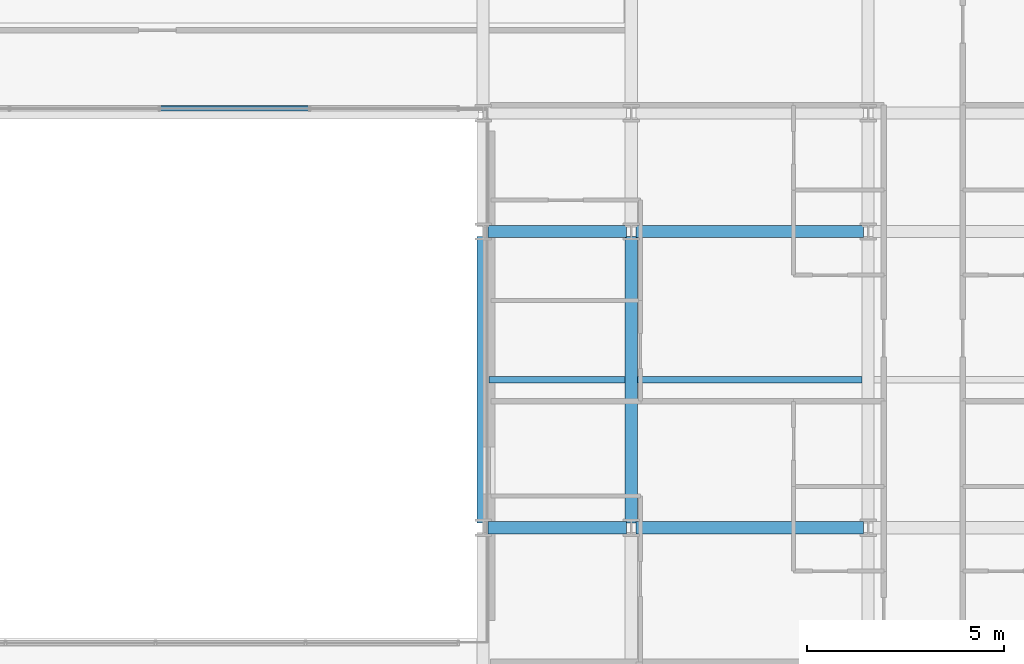
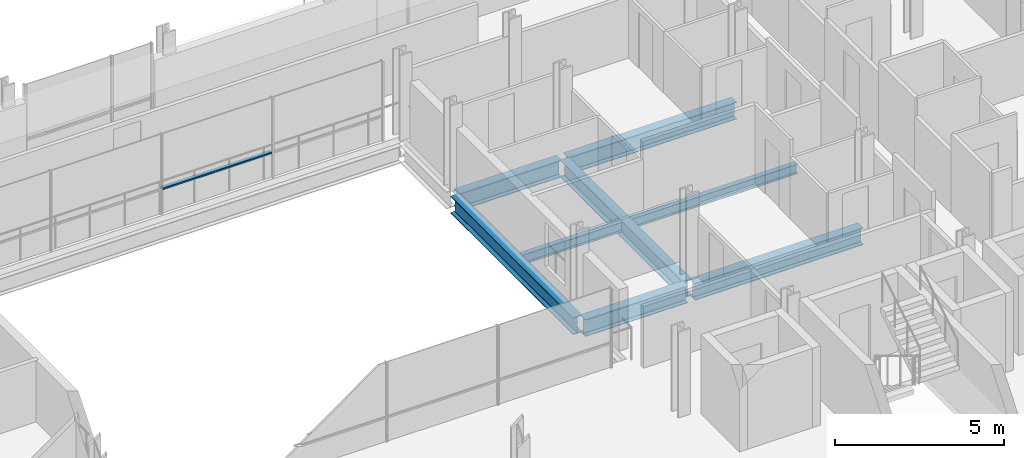
# One storey, part 16 of 39: 8 beams, 1 member, 1 element without a shape of its own.
"""IFC4 building model written with IfcOpenShell, lengths in metres."""

from ifc_helpers import new_model, si_unit, direction, frame, origin, origin_2d, place, context, subcontext, project, spatial, hollow_rectangle, i_section, extrude, material, layer, layer_set, material_profile, profile_set, type_object, element, aggregate, save


model = new_model("IFC4")

# Units and contexts
model_context = context("Model", 3, precision=1e-05, world=origin(), true_north=direction((0.0, 1.0)))
body_context = subcontext(model_context, "Body", "Model", "MODEL_VIEW")
ifc_project = project(units=[si_unit("LENGTHUNIT", "METRE"), si_unit("AREAUNIT", "SQUARE_METRE"), si_unit("VOLUMEUNIT", "CUBIC_METRE"), si_unit("PLANEANGLEUNIT", "RADIAN"), si_unit("MASSUNIT", "GRAM", prefix="KILO")], contexts=[model_context])

# Site, building, storey
site_placement = place(None, origin())
site = spatial("IfcSite", under=ifc_project, at=site_placement, CompositionType="ELEMENT")
building_placement = place(site_placement, origin())
building = spatial("IfcBuilding", under=site, at=building_placement, Name="Brevholm Reach", CompositionType="ELEMENT")
storey_placement = place(building_placement, frame((0.0, 0.0, 77.60009765625)))
storey = spatial("IfcBuildingStorey", under=building, at=storey_placement, Name="L22", CompositionType="ELEMENT", Elevation=77.60009765625)

# Beams
ifc_material_1 = material(Name="Structural Steel S355J2", Category="steel")
ifc_material_profile_1 = material_profile(ifc_material_1, i_section(OverallWidth=0.17138671875, OverallDepth=0.35498046875, WebThickness=0.00732421875, FlangeThickness=0.011474609375, FilletRadius=0.01025390625, at=origin_2d()), Name="UKB 356x171x51")
ifc_profile_set_1 = profile_set([ifc_material_profile_1], Name="Structural Steel S355J2")
beam_type_1 = type_object("IfcBeamType", Name="BM-B356", PredefinedType="BEAM", material=ifc_profile_set_1)
beam_1_placement = place(storey_placement, frame((38.403564453125, 19.75, -0.40771484375), z_axis=(1.0, 0.0, 0.0), x_axis=(0.0, 1.0, 0.0)))
element("IfcBeam", 1, at=beam_1_placement, inside=storey, type_object=beam_type_1, Name="L22 Composite Secondary Floor Beam", PredefinedType="BEAM", context=body_context, shape_type="SweptSolid", body=[
    extrude(i_section(OverallWidth=0.17138671875, OverallDepth=0.35498046875, WebThickness=0.00732421875, FlangeThickness=0.011474609375, FilletRadius=0.01025390625, at=origin_2d()), origin(), (0.0, 0.0, 1.0), 3.44287109375),
])
beam_2_placement = place(storey_placement, frame((42.153564453125, 19.75, -0.40771484375), z_axis=(1.0, 0.0, 0.0), x_axis=(0.0, 1.0, 0.0)))
element("IfcBeam", 2, at=beam_2_placement, inside=storey, type_object=beam_type_1, Name="L22 Composite Secondary Floor Beam", PredefinedType="BEAM", context=body_context, shape_type="SweptSolid", body=[
    extrude(i_section(OverallWidth=0.17138671875, OverallDepth=0.35498046875, WebThickness=0.00732421875, FlangeThickness=0.011474609375, FilletRadius=0.01025390625, at=origin_2d()), origin(), (0.0, 0.0, 1.0), 5.69287109375),
])
ifc_material_2 = material(Name="Structural Steel S355J2", Category="steel")
ifc_material_profile_2 = material_profile(ifc_material_2, i_section(OverallWidth=0.30712890625, OverallDepth=0.6201171875, WebThickness=0.01416015625, FlangeThickness=0.023681640625, FilletRadius=0.0166015625, at=origin_2d()), Name="UKB 610x305x179")
ifc_profile_set_2 = profile_set([ifc_material_profile_2], Name="Structural Steel S355J2")
beam_type_2 = type_object("IfcBeamType", Name="BM-UKB610H", PredefinedType="USERDEFINED", material=ifc_profile_set_2)
beam_3_placement = place(storey_placement, frame((38.3701171875, 16.0, -0.540283203125), z_axis=(1.0, 0.0, 0.0), x_axis=(0.0, 1.0, 0.0)))
element("IfcBeam", 3, at=beam_3_placement, inside=storey, type_object=beam_type_2, Name="L22 G-06 Framing Beam", ObjectType="GIRDER", PredefinedType="USERDEFINED", context=body_context, shape_type="SweptSolid", body=[
    extrude(i_section(OverallWidth=0.30712890625, OverallDepth=0.6201171875, WebThickness=0.01416015625, FlangeThickness=0.023681640625, FilletRadius=0.0166015625, at=origin_2d()), origin(), (0.0, 0.0, 1.0), 3.509765625),
])
beam_4_placement = place(storey_placement, frame((42.1201171875, 16.0, -0.540283203125), z_axis=(1.0, 0.0, 0.0), x_axis=(0.0, 1.0, 0.0)))
element("IfcBeam", 4, at=beam_4_placement, inside=storey, type_object=beam_type_2, Name="L22 G-06 Framing Beam", ObjectType="GIRDER", PredefinedType="USERDEFINED", context=body_context, shape_type="SweptSolid", body=[
    extrude(i_section(OverallWidth=0.30712890625, OverallDepth=0.6201171875, WebThickness=0.01416015625, FlangeThickness=0.023681640625, FilletRadius=0.0166015625, at=origin_2d()), origin(), (0.0, 0.0, 1.0), 5.759765625),
])
beam_5_placement = place(storey_placement, frame((38.3701171875, 23.5, -0.540283203125), z_axis=(1.0, 0.0, 0.0), x_axis=(0.0, 1.0, 0.0)))
element("IfcBeam", 5, at=beam_5_placement, inside=storey, type_object=beam_type_2, Name="L22 G-06 Framing Beam", ObjectType="GIRDER", PredefinedType="USERDEFINED", context=body_context, shape_type="SweptSolid", body=[
    extrude(i_section(OverallWidth=0.30712890625, OverallDepth=0.6201171875, WebThickness=0.01416015625, FlangeThickness=0.023681640625, FilletRadius=0.0166015625, at=origin_2d()), origin(), (0.0, 0.0, 1.0), 3.509765625),
])
beam_6_placement = place(storey_placement, frame((42.1201171875, 23.5, -0.540283203125), z_axis=(1.0, 0.0, 0.0), x_axis=(0.0, 1.0, 0.0)))
element("IfcBeam", 6, at=beam_6_placement, inside=storey, type_object=beam_type_2, Name="L22 G-06 Framing Beam", ObjectType="GIRDER", PredefinedType="USERDEFINED", context=body_context, shape_type="SweptSolid", body=[
    extrude(i_section(OverallWidth=0.30712890625, OverallDepth=0.6201171875, WebThickness=0.01416015625, FlangeThickness=0.023681640625, FilletRadius=0.0166015625, at=origin_2d()), origin(), (0.0, 0.0, 1.0), 5.759765625),
])
for number, where, z_axis, x_axis, name in (
    (7, (38.25, 16.1201171875, -0.540283203125), (0.0, 1.0, 0.0), (-1.0, 0.0, 0.0), "L22 G-06 Framing Beam"),
    (8, (42.0, 16.1201171875, -0.540283203125), (0.0, 1.0, 0.0), (-1.0, 0.0, 0.0), "L22 G-06 Framing Beam"),
):
    element("IfcBeam", number, at=place(storey_placement, frame(where, z_axis=z_axis, x_axis=x_axis)), inside=storey, type_object=beam_type_2, Name=name, ObjectType="GIRDER", PredefinedType="USERDEFINED", context=body_context, shape_type="SweptSolid", body=[
        extrude(i_section(OverallWidth=0.30712890625, OverallDepth=0.6201171875, WebThickness=0.01416015625, FlangeThickness=0.023681640625, FilletRadius=0.0166015625, at=origin_2d()), origin(), (0.0, 0.0, 1.0), 7.259765625),
    ])

# Curtain wall, member
ifc_material_3 = material(Name="Dark Anodised Aluminium 6063-T6 and Solar-Control Glass", Category="aluminium")
ifc_layer = layer(ifc_material_3, 0.139892578125)
ifc_layer_set = layer_set([ifc_layer], Name="Dark Anodised Aluminium 6063-T6 and Solar-Control Glass")
curtain_wall_type = type_object("IfcCurtainWallType", Name="CW-02", PredefinedType="NOTDEFINED", material=ifc_layer_set)
curtain_wall_placement = place(storey_placement, origin())
curtain_wall = element("IfcCurtainWall", 9, at=curtain_wall_placement, inside=storey, type_object=curtain_wall_type, Name="L22 Curtain Wall CW-02", PredefinedType="NOTDEFINED")
ifc_material_4 = material(Name="Dark Anodised Aluminium 6063-T6", Category="aluminium")
ifc_material_profile_3 = material_profile(ifc_material_4, hollow_rectangle(XDim=0.06005859375, YDim=0.139892578125, WallThickness=0.0048828125, InnerFilletRadius=0.0048828125, OuterFilletRadius=0.010009765625, at=origin_2d()), Name="RHS 140x60x5")
ifc_profile_set_3 = profile_set([ifc_material_profile_3], Name="Dark Anodised Aluminium 6063-T6")
member_type = type_object("IfcMemberType", Name="CWT-140", PredefinedType="NOTDEFINED", material=ifc_profile_set_3)
member_placement = place(storey_placement, frame((33.820068359375, 26.6201171875, 0.89990234375), z_axis=(-1.0, 0.0, 0.0), x_axis=(0.0, 0.0, 1.0)))
member = element("IfcMember", 10, at=member_placement, type_object=member_type, Name="CT-140 Transom 2.1", ObjectType="TRANSOM", PredefinedType="USERDEFINED", context=body_context, shape_type="SweptSolid", body=[
    extrude(hollow_rectangle(XDim=0.06005859375, YDim=0.139892578125, WallThickness=0.0048828125, InnerFilletRadius=0.0048828125, OuterFilletRadius=0.010009765625, at=origin_2d()), origin(), (0.0, 0.0, 1.0), 3.739990234375),
])
aggregate(curtain_wall, [member])

save(model, "model.ifc")
